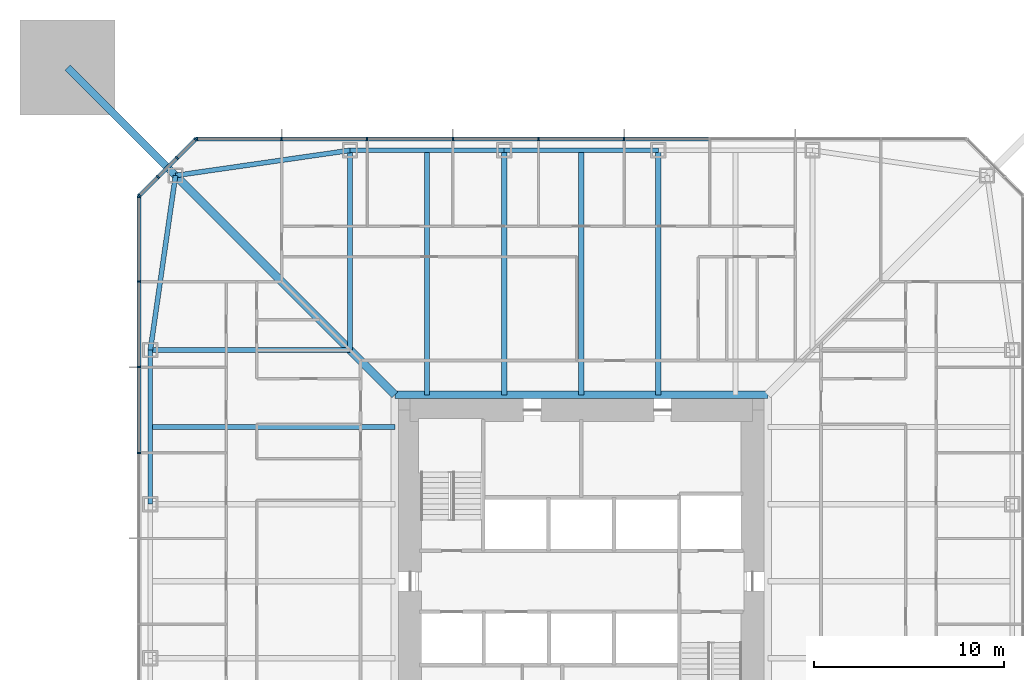
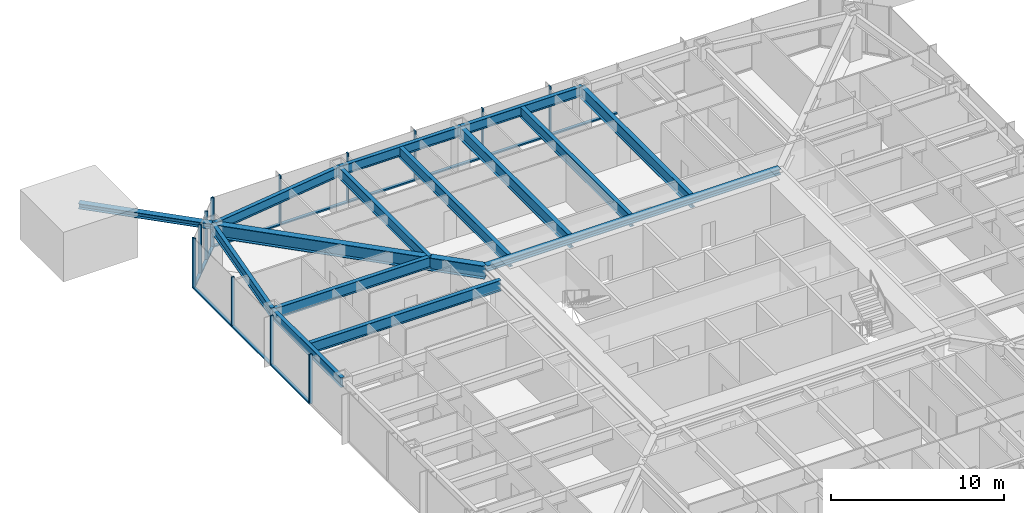
# One storey, part 6 of 26: 27 members, 14 beams, 3 elements without a shape of their own.
"""IFC4 building model written with IfcOpenShell, lengths in metres."""

from ifc_helpers import new_model, si_unit, direction, frame, origin, origin_2d, place, context, subcontext, project, spatial, rectangle, i_section, extrude, material, material_profile, profile_set, type_object, element, aggregate, save


model = new_model("IFC4")

# Units and contexts
model_context = context("Model", 3, precision=1e-05, world=origin(), true_north=direction((0.0, 1.0)))
body_context = subcontext(model_context, "Body", "Model", "MODEL_VIEW")
ifc_project = project(units=[si_unit("LENGTHUNIT", "METRE"), si_unit("AREAUNIT", "SQUARE_METRE"), si_unit("VOLUMEUNIT", "CUBIC_METRE"), si_unit("PLANEANGLEUNIT", "RADIAN"), si_unit("MASSUNIT", "GRAM", prefix="KILO")], contexts=[model_context])

# Site, building, storey
site_placement = place(None, origin())
site = spatial("IfcSite", under=ifc_project, at=site_placement, CompositionType="ELEMENT")
building_placement = place(site_placement, origin())
building = spatial("IfcBuilding", under=site, at=building_placement, Name="Iwan Alto Co-Living Towers", CompositionType="ELEMENT")
storey_placement = place(building_placement, frame((0.0, 0.0, 29.0)))
storey = spatial("IfcBuildingStorey", under=building, at=storey_placement, Name="L07", CompositionType="ELEMENT", Elevation=29.0)

# Curtain wall, members
ifc_material_1 = material(Name="Bronze aluminium unitised frame", Category="aluminium")
curtain_wall_type_1 = type_object("IfcCurtainWallType", Name="CURTAIN WALL CW-A", PredefinedType="NOTDEFINED", material=ifc_material_1)
curtain_wall_1_placement = place(storey_placement, origin())
curtain_wall_1 = element("IfcCurtainWall", 1, at=curtain_wall_1_placement, inside=storey, type_object=curtain_wall_type_1, Name="T1 curtain wall N L07", PredefinedType="NOTDEFINED")
ifc_material_2 = material(Name="Aluminium 6063-T6 bronze anodised", Category="aluminium")
ifc_material_profile_1 = material_profile(ifc_material_2, rectangle(XDim=0.199951171875, YDim=0.080078125, at=origin_2d()), Name="AL 80X200")
ifc_profile_set_1 = profile_set([ifc_material_profile_1], Name="Aluminium 6063-T6 bronze anodised")
member_type_1 = type_object("IfcMemberType", Name="CW-A MULLION 80X200", PredefinedType="MULLION", material=ifc_profile_set_1)
member_1_placement = place(storey_placement, frame((2.25, 23.25, 0.0), z_axis=(0.0, 0.0, 1.0), x_axis=(0.0, -1.0, 0.0)))
member_1 = element("IfcMember", 2, at=member_1_placement, type_object=member_type_1, Name="CW-A mullion 5", PredefinedType="MULLION", context=body_context, shape_type="SweptSolid", body=[
    extrude(rectangle(XDim=0.199951171875, YDim=0.080078125, at=origin_2d()), origin(), (0.0, 0.0, 1.0), 3.5),
])
member_2_placement = place(storey_placement, frame((-2.25, 23.25, 0.0), z_axis=(0.0, 0.0, 1.0), x_axis=(0.0, -1.0, 0.0)))
member_2 = element("IfcMember", 3, at=member_2_placement, type_object=member_type_1, Name="CW-A mullion 6", PredefinedType="MULLION", context=body_context, shape_type="SweptSolid", body=[
    extrude(rectangle(XDim=0.199951171875, YDim=0.080078125, at=origin_2d()), origin(), (0.0, 0.0, 1.0), 3.5),
])
member_3_placement = place(storey_placement, frame((-6.75, 23.25, 0.0), z_axis=(0.0, 0.0, 1.0), x_axis=(0.0, -1.0, 0.0)))
member_3 = element("IfcMember", 4, at=member_3_placement, type_object=member_type_1, Name="CW-A mullion 7", PredefinedType="MULLION", context=body_context, shape_type="SweptSolid", body=[
    extrude(rectangle(XDim=0.199951171875, YDim=0.080078125, at=origin_2d()), origin(), (0.0, 0.0, 1.0), 3.5),
])
member_4_placement = place(storey_placement, frame((-11.25, 23.25, 0.0), z_axis=(0.0, 0.0, 1.0), x_axis=(0.0, -1.0, 0.0)))
member_4 = element("IfcMember", 5, at=member_4_placement, type_object=member_type_1, Name="CW-A mullion 8", PredefinedType="MULLION", context=body_context, shape_type="SweptSolid", body=[
    extrude(rectangle(XDim=0.199951171875, YDim=0.080078125, at=origin_2d()), origin(), (0.0, 0.0, 1.0), 3.5),
])
member_5_placement = place(storey_placement, frame((-15.75, 23.25, 0.0), z_axis=(0.0, 0.0, 1.0), x_axis=(0.0, -1.0, 0.0)))
member_5 = element("IfcMember", 6, at=member_5_placement, type_object=member_type_1, Name="CW-A mullion 9", PredefinedType="MULLION", context=body_context, shape_type="SweptSolid", body=[
    extrude(rectangle(XDim=0.199951171875, YDim=0.080078125, at=origin_2d()), origin(), (0.0, 0.0, 1.0), 3.5),
])
member_6_placement = place(storey_placement, frame((-20.2099609375, 23.25, 0.0), z_axis=(0.0, 0.0, 1.0), x_axis=(0.0, -1.0, 0.0)))
member_6 = element("IfcMember", 7, at=member_6_placement, type_object=member_type_1, Name="CW-A mullion 10", PredefinedType="MULLION", context=body_context, shape_type="SweptSolid", body=[
    extrude(rectangle(XDim=0.199951171875, YDim=0.080078125, at=origin_2d()), origin(), (0.0, 0.0, 1.0), 3.5),
])

curtain_wall_2_placement = place(storey_placement, origin())
curtain_wall_2 = element("IfcCurtainWall", 8, at=curtain_wall_2_placement, inside=storey, type_object=curtain_wall_type_1, Name="T1 curtain wall W L07", PredefinedType="NOTDEFINED")
member_7_placement = place(storey_placement, frame((-23.25, 20.2099609375, 0.0), z_axis=(0.0, 0.0, 1.0), x_axis=(1.0, 0.0, 0.0)))
member_7 = element("IfcMember", 9, at=member_7_placement, type_object=member_type_1, Name="CW-A mullion 1", PredefinedType="MULLION", context=body_context, shape_type="SweptSolid", body=[
    extrude(rectangle(XDim=0.199951171875, YDim=0.080078125, at=origin_2d()), origin(), (0.0, 0.0, 1.0), 3.5),
])
member_8_placement = place(storey_placement, frame((-23.25, 15.75, 0.0), z_axis=(0.0, 0.0, 1.0), x_axis=(1.0, 0.0, 0.0)))
member_8 = element("IfcMember", 10, at=member_8_placement, type_object=member_type_1, Name="CW-A mullion 2", PredefinedType="MULLION", context=body_context, shape_type="SweptSolid", body=[
    extrude(rectangle(XDim=0.199951171875, YDim=0.080078125, at=origin_2d()), origin(), (0.0, 0.0, 1.0), 3.5),
])
member_9_placement = place(storey_placement, frame((-23.25, 11.25, 0.0), z_axis=(0.0, 0.0, 1.0), x_axis=(1.0, 0.0, 0.0)))
member_9 = element("IfcMember", 11, at=member_9_placement, type_object=member_type_1, Name="CW-A mullion 3", PredefinedType="MULLION", context=body_context, shape_type="SweptSolid", body=[
    extrude(rectangle(XDim=0.199951171875, YDim=0.080078125, at=origin_2d()), origin(), (0.0, 0.0, 1.0), 3.5),
])
member_10_placement = place(storey_placement, frame((-23.25, 6.75, 0.0), z_axis=(0.0, 0.0, 1.0), x_axis=(1.0, 0.0, 0.0)))
member_10 = element("IfcMember", 12, at=member_10_placement, type_object=member_type_1, Name="CW-A mullion 4", PredefinedType="MULLION", context=body_context, shape_type="SweptSolid", body=[
    extrude(rectangle(XDim=0.199951171875, YDim=0.080078125, at=origin_2d()), origin(), (0.0, 0.0, 1.0), 3.5),
])

# Member
ifc_material_3 = material(Name="Aluminium 6063-T6 bronze anodised", Category="aluminium")
ifc_material_profile_2 = material_profile(ifc_material_3, rectangle(XDim=0.199951171875, YDim=0.10009765625, at=origin_2d()), Name="AL 200X100")
ifc_profile_set_2 = profile_set([ifc_material_profile_2], Name="Aluminium 6063-T6 bronze anodised")
member_type_2 = type_object("IfcMemberType", Name="CW-A TRANSOM 200X100", PredefinedType="USERDEFINED", material=ifc_profile_set_2)
member_11_placement = place(storey_placement, frame((6.7099609375, 23.25, 0.050048828125), z_axis=(-1.0, 0.0, 0.0), x_axis=(0.0, -1.0, 0.0)))
member_11 = element("IfcMember", 13, at=member_11_placement, type_object=member_type_2, Name="CW-A transom 4.1", ObjectType="TRANSOM", PredefinedType="USERDEFINED", context=body_context, shape_type="SweptSolid", body=[
    extrude(rectangle(XDim=0.199951171875, YDim=0.10009765625, at=origin_2d()), origin(), (0.0, 0.0, 1.0), 4.419921875),
])

member_12_placement = place(storey_placement, frame((2.2099609375, 23.25, 0.050048828125), z_axis=(-1.0, 0.0, 0.0), x_axis=(0.0, -1.0, 0.0)))
member_12 = element("IfcMember", 14, at=member_12_placement, type_object=member_type_2, Name="CW-A transom 5.1", ObjectType="TRANSOM", PredefinedType="USERDEFINED", context=body_context, shape_type="SweptSolid", body=[
    extrude(rectangle(XDim=0.199951171875, YDim=0.10009765625, at=origin_2d()), origin(), (0.0, 0.0, 1.0), 4.419921875),
])

member_13_placement = place(storey_placement, frame((-2.2900390625, 23.25, 0.050048828125), z_axis=(-1.0, 0.0, 0.0), x_axis=(0.0, -1.0, 0.0)))
member_13 = element("IfcMember", 15, at=member_13_placement, type_object=member_type_2, Name="CW-A transom 6.1", ObjectType="TRANSOM", PredefinedType="USERDEFINED", context=body_context, shape_type="SweptSolid", body=[
    extrude(rectangle(XDim=0.199951171875, YDim=0.10009765625, at=origin_2d()), origin(), (0.0, 0.0, 1.0), 4.419921875),
])

member_14_placement = place(storey_placement, frame((-6.7900390625, 23.25, 0.050048828125), z_axis=(-1.0, 0.0, 0.0), x_axis=(0.0, -1.0, 0.0)))
member_14 = element("IfcMember", 16, at=member_14_placement, type_object=member_type_2, Name="CW-A transom 7.1", ObjectType="TRANSOM", PredefinedType="USERDEFINED", context=body_context, shape_type="SweptSolid", body=[
    extrude(rectangle(XDim=0.199951171875, YDim=0.10009765625, at=origin_2d()), origin(), (0.0, 0.0, 1.0), 4.419921875),
])

member_15_placement = place(storey_placement, frame((-11.2900390625, 23.25, 0.050048828125), z_axis=(-1.0, 0.0, 0.0), x_axis=(0.0, -1.0, 0.0)))
member_15 = element("IfcMember", 17, at=member_15_placement, type_object=member_type_2, Name="CW-A transom 8.1", ObjectType="TRANSOM", PredefinedType="USERDEFINED", context=body_context, shape_type="SweptSolid", body=[
    extrude(rectangle(XDim=0.199951171875, YDim=0.10009765625, at=origin_2d()), origin(), (0.0, 0.0, 1.0), 4.419921875),
])

member_16_placement = place(storey_placement, frame((-15.7900390625, 23.25, 0.050048828125), z_axis=(-1.0, 0.0, 0.0), x_axis=(0.0, -1.0, 0.0)))
member_16 = element("IfcMember", 18, at=member_16_placement, type_object=member_type_2, Name="CW-A transom 9.1", ObjectType="TRANSOM", PredefinedType="USERDEFINED", context=body_context, shape_type="SweptSolid", body=[
    extrude(rectangle(XDim=0.199951171875, YDim=0.10009765625, at=origin_2d()), origin(), (0.0, 0.0, 1.0), 4.3798828125),
])

aggregate(curtain_wall_1, [member_1, member_2, member_3, member_4, member_5, member_6, member_11, member_12, member_13, member_14, member_15, member_16])

member_17_placement = place(storey_placement, frame((-23.25, 20.169921875, 0.050048828125), z_axis=(0.0, -1.0, 0.0), x_axis=(1.0, 0.0, 0.0)))
member_17 = element("IfcMember", 19, at=member_17_placement, type_object=member_type_2, Name="CW-A transom 1.1", ObjectType="TRANSOM", PredefinedType="USERDEFINED", context=body_context, shape_type="SweptSolid", body=[
    extrude(rectangle(XDim=0.199951171875, YDim=0.10009765625, at=origin_2d()), origin(), (0.0, 0.0, 1.0), 4.3798828125),
])

member_18_placement = place(storey_placement, frame((-23.25, 15.7099609375, 0.050048828125), z_axis=(0.0, -1.0, 0.0), x_axis=(1.0, 0.0, 0.0)))
member_18 = element("IfcMember", 20, at=member_18_placement, type_object=member_type_2, Name="CW-A transom 2.1", ObjectType="TRANSOM", PredefinedType="USERDEFINED", context=body_context, shape_type="SweptSolid", body=[
    extrude(rectangle(XDim=0.199951171875, YDim=0.10009765625, at=origin_2d()), origin(), (0.0, 0.0, 1.0), 4.419921875),
])

member_19_placement = place(storey_placement, frame((-23.25, 11.2099609375, 0.050048828125), z_axis=(0.0, -1.0, 0.0), x_axis=(1.0, 0.0, 0.0)))
member_19 = element("IfcMember", 21, at=member_19_placement, type_object=member_type_2, Name="CW-A transom 3.1", ObjectType="TRANSOM", PredefinedType="USERDEFINED", context=body_context, shape_type="SweptSolid", body=[
    extrude(rectangle(XDim=0.199951171875, YDim=0.10009765625, at=origin_2d()), origin(), (0.0, 0.0, 1.0), 4.419921875),
])

aggregate(curtain_wall_2, [member_7, member_8, member_9, member_10, member_17, member_18, member_19])

# Curtain wall, members
ifc_material_4 = material(Name="Bronze aluminium unitised frame", Category="aluminium")
curtain_wall_type_2 = type_object("IfcCurtainWallType", Name="CURTAIN WALL CW-B", PredefinedType="NOTDEFINED", material=ifc_material_4)
curtain_wall_3_placement = place(storey_placement, origin())
curtain_wall_3 = element("IfcCurtainWall", 22, at=curtain_wall_3_placement, inside=storey, type_object=curtain_wall_type_2, Name="T1 chamfer curtain wall NW L07", PredefinedType="NOTDEFINED")
ifc_material_5 = material(Name="Aluminium 6063-T6 bronze anodised", Category="aluminium")
ifc_material_profile_3 = material_profile(ifc_material_5, rectangle(XDim=0.199951171875, YDim=0.080078125, at=origin_2d()), Name="AL 80X200")
ifc_profile_set_3 = profile_set([ifc_material_profile_3], Name="Aluminium 6063-T6 bronze anodised")
member_type_3 = type_object("IfcMemberType", Name="CW-B MULLION 80X200", PredefinedType="MULLION", material=ifc_profile_set_3)
member_20_placement = place(storey_placement, frame((-20.2783203125, 23.2216796875, 0.0), z_axis=(0.0, 0.0, 1.0), x_axis=(0.707106781187, -0.707106781187, 0.0)))
member_20 = element("IfcMember", 23, at=member_20_placement, type_object=member_type_3, Name="CW-B mullion 1", PredefinedType="MULLION", context=body_context, shape_type="SweptSolid", body=[
    extrude(rectangle(XDim=0.199951171875, YDim=0.080078125, at=origin_2d()), origin(), (0.0, 0.0, 1.0), 3.5),
])
member_21_placement = place(storey_placement, frame((-21.25, 22.25, 0.0), z_axis=(0.0, 0.0, 1.0), x_axis=(0.707106781187, -0.707106781187, 0.0)))
member_21 = element("IfcMember", 24, at=member_21_placement, type_object=member_type_3, Name="CW-B mullion 2", PredefinedType="MULLION", context=body_context, shape_type="SweptSolid", body=[
    extrude(rectangle(XDim=0.199951171875, YDim=0.080078125, at=origin_2d()), origin(), (0.0, 0.0, 1.0), 3.5),
])
member_22_placement = place(storey_placement, frame((-22.25, 21.25, 0.0), z_axis=(0.0, 0.0, 1.0), x_axis=(0.707106781187, -0.707106781187, 0.0)))
member_22 = element("IfcMember", 25, at=member_22_placement, type_object=member_type_3, Name="CW-B mullion 3", PredefinedType="MULLION", context=body_context, shape_type="SweptSolid", body=[
    extrude(rectangle(XDim=0.199951171875, YDim=0.080078125, at=origin_2d()), origin(), (0.0, 0.0, 1.0), 3.5),
])
member_23_placement = place(storey_placement, frame((-23.2216796875, 20.2783203125, 0.0), z_axis=(0.0, 0.0, 1.0), x_axis=(0.707106781187, -0.707106781187, 0.0)))
member_23 = element("IfcMember", 26, at=member_23_placement, type_object=member_type_3, Name="CW-B mullion 4", PredefinedType="MULLION", context=body_context, shape_type="SweptSolid", body=[
    extrude(rectangle(XDim=0.199951171875, YDim=0.080078125, at=origin_2d()), origin(), (0.0, 0.0, 1.0), 3.5),
])
ifc_material_6 = material(Name="Aluminium 6063-T6 bronze anodised", Category="aluminium")
ifc_material_profile_4 = material_profile(ifc_material_6, rectangle(XDim=0.199951171875, YDim=0.10009765625, at=origin_2d()), Name="AL 200X100")
ifc_profile_set_4 = profile_set([ifc_material_profile_4], Name="Aluminium 6063-T6 bronze anodised")
member_type_4 = type_object("IfcMemberType", Name="CW-B TRANSOM 200X100", PredefinedType="USERDEFINED", material=ifc_profile_set_4)
member_24_placement = place(storey_placement, frame((-20.306640625, 23.193359375, 0.050048828125), z_axis=(-0.707106781187, -0.707106781187, 0.0), x_axis=(0.707106781187, -0.707106781187, 0.0)))
member_24 = element("IfcMember", 27, at=member_24_placement, type_object=member_type_4, Name="CW-B transom 1.1", ObjectType="TRANSOM", PredefinedType="USERDEFINED", context=body_context, shape_type="SweptSolid", body=[
    extrude(rectangle(XDim=0.199951171875, YDim=0.10009765625, at=origin_2d()), origin(), (0.0, 0.0, 1.0), 1.2939453125),
])
member_25_placement = place(storey_placement, frame((-21.2783203125, 22.2216796875, 0.050048828125), z_axis=(-0.707106781187, -0.707106781187, 0.0), x_axis=(0.707106781187, -0.707106781187, 0.0)))
member_25 = element("IfcMember", 28, at=member_25_placement, type_object=member_type_4, Name="CW-B transom 2.1", ObjectType="TRANSOM", PredefinedType="USERDEFINED", context=body_context, shape_type="SweptSolid", body=[
    extrude(rectangle(XDim=0.199951171875, YDim=0.10009765625, at=origin_2d()), origin(), (0.0, 0.0, 1.0), 1.334228515625),
])
member_26_placement = place(storey_placement, frame((-22.2783203125, 21.2216796875, 0.050048828125), z_axis=(-0.707106781187, -0.707106781187, 0.0), x_axis=(0.707106781187, -0.707106781187, 0.0)))
member_26 = element("IfcMember", 29, at=member_26_placement, type_object=member_type_4, Name="CW-B transom 3.1", ObjectType="TRANSOM", PredefinedType="USERDEFINED", context=body_context, shape_type="SweptSolid", body=[
    extrude(rectangle(XDim=0.199951171875, YDim=0.10009765625, at=origin_2d()), origin(), (0.0, 0.0, 1.0), 1.2939453125),
])
aggregate(curtain_wall_3, [member_20, member_21, member_22, member_23, member_24, member_25, member_26])

# Beams
ifc_material_7 = material(Name="Steel ASTM A992 Gr 50", Category="steel")
ifc_material_profile_5 = material_profile(ifc_material_7, i_section(OverallWidth=0.40380859375, OverallDepth=0.406494140625, WebThickness=0.027099609375, FlangeThickness=0.043701171875, at=origin_2d()), Name="W14X233")
ifc_profile_set_5 = profile_set([ifc_material_profile_5], Name="Steel ASTM A992 Gr 50")
beam_type_1 = type_object("IfcBeamType", Name="T1 CORE LEDGER BEAM W14X233", PredefinedType="BEAM", material=ifc_profile_set_5)
beam_1_placement = place(storey_placement, frame((9.802001953125, 9.802001953125, 3.06689453125), z_axis=(-1.0, 0.0, 0.0), x_axis=(0.0, -1.0, 0.0)))
element("IfcBeam", 30, at=beam_1_placement, inside=storey, type_object=beam_type_1, Name="T1 core ledger beam N L08", PredefinedType="BEAM", context=body_context, shape_type="SweptSolid", body=[
    extrude(i_section(OverallWidth=0.40380859375, OverallDepth=0.406494140625, WebThickness=0.027099609375, FlangeThickness=0.043701171875, at=origin_2d()), origin(), (0.0, 0.0, 1.0), 19.60400390625),
])
ifc_material_8 = material(Name="Steel ASTM A992 Gr 50", Category="steel")
ifc_material_profile_6 = material_profile(ifc_material_8, i_section(OverallWidth=0.419189453125, OverallDepth=0.927001953125, WebThickness=0.019287109375, FlangeThickness=0.031982421875, at=origin_2d()), Name="W36X231")
ifc_profile_set_6 = profile_set([ifc_material_profile_6], Name="Steel ASTM A992 Gr 50")
beam_type_2 = type_object("IfcBeamType", Name="T1 CORNER GIRDER W36X231", PredefinedType="BEAM", material=ifc_profile_set_6)
beam_2_placement = place(storey_placement, frame((-21.32568359375, 21.32568359375, 2.806396484375), z_axis=(0.707106781187, -0.707106781187, 0.0), x_axis=(0.707106781187, 0.707106781187, 0.0)))
element("IfcBeam", 31, at=beam_2_placement, inside=storey, type_object=beam_type_2, Name="T1 corner girder CNW L08", PredefinedType="BEAM", context=body_context, shape_type="SweptSolid", body=[
    extrude(i_section(OverallWidth=0.419189453125, OverallDepth=0.927001953125, WebThickness=0.019287109375, FlangeThickness=0.031982421875, at=origin_2d()), origin(), (0.0, 0.0, 1.0), 16.296875),
])
ifc_material_9 = material(Name="Steel ASTM A992 Gr 50", Category="steel")
ifc_material_profile_7 = material_profile(ifc_material_9, i_section(OverallWidth=0.25390625, OverallDepth=0.683349609375, WebThickness=0.012451171875, FlangeThickness=0.018798828125, at=origin_2d()), Name="W27X94")
ifc_profile_set_7 = profile_set([ifc_material_profile_7], Name="Steel ASTM A992 Gr 50")
beam_type_3 = type_object("IfcBeamType", Name="T1 EDGE BEAM W27X94", PredefinedType="BEAM", material=ifc_profile_set_7)
beam_3_placement = place(storey_placement, frame((4.050048828125, 22.64990234375, 2.928466796875), z_axis=(-1.0, 0.0, 0.0), x_axis=(0.0, -1.0, 0.0)))
element("IfcBeam", 32, at=beam_3_placement, inside=storey, type_object=beam_type_3, Name="T1 edge beam N2 L08", PredefinedType="BEAM", context=body_context, shape_type="SweptSolid", body=[
    extrude(i_section(OverallWidth=0.25390625, OverallDepth=0.683349609375, WebThickness=0.012451171875, FlangeThickness=0.018798828125, at=origin_2d()), origin(), (0.0, 0.0, 1.0), 8.10009765625),
])
beam_4_placement = place(storey_placement, frame((-4.050048828125, 22.64990234375, 2.928466796875), z_axis=(-1.0, 0.0, 0.0), x_axis=(0.0, -1.0, 0.0)))
element("IfcBeam", 33, at=beam_4_placement, inside=storey, type_object=beam_type_3, Name="T1 edge beam N3 L08", PredefinedType="BEAM", context=body_context, shape_type="SweptSolid", body=[
    extrude(i_section(OverallWidth=0.25390625, OverallDepth=0.683349609375, WebThickness=0.012451171875, FlangeThickness=0.018798828125, at=origin_2d()), origin(), (0.0, 0.0, 1.0), 8.099853515625),
])
for number, where, z_axis, x_axis, name in (
    (34, (-12.14990234375, 22.64990234375, 2.928466796875), (-0.989746234347, -0.142836940589, 0.0), (0.142836940589, -0.989746234347, 0.0), "T1 edge beam N4 L08"),
    (35, (-21.32568359375, 21.32568359375, 2.928466796875), (-0.142836940589, -0.989746234347, 0.0), (0.989746234347, -0.142836940589, 0.0), "T1 edge beam CNW L08"),
):
    element("IfcBeam", number, at=place(storey_placement, frame(where, z_axis=z_axis, x_axis=x_axis)), inside=storey, type_object=beam_type_3, Name=name, PredefinedType="BEAM", context=body_context, shape_type="SweptSolid", body=[
        extrude(i_section(OverallWidth=0.25390625, OverallDepth=0.683349609375, WebThickness=0.012451171875, FlangeThickness=0.018798828125, at=origin_2d()), origin(), (0.0, 0.0, 1.0), 9.270751953125),
    ])
beam_5_placement = place(storey_placement, frame((-22.64990234375, 12.14990234375, 2.928466796875), z_axis=(0.0, -1.0, 0.0), x_axis=(1.0, 0.0, 0.0)))
element("IfcBeam", 36, at=beam_5_placement, inside=storey, type_object=beam_type_3, Name="T1 edge beam W1 L08", PredefinedType="BEAM", context=body_context, shape_type="SweptSolid", body=[
    extrude(i_section(OverallWidth=0.25390625, OverallDepth=0.683349609375, WebThickness=0.012451171875, FlangeThickness=0.018798828125, at=origin_2d()), origin(), (0.0, 0.0, 1.0), 8.099853515625),
])

# Member
ifc_material_10 = material(Name="Steel ASTM A992 Gr 50", Category="steel")
ifc_material_profile_8 = material_profile(ifc_material_10, i_section(OverallWidth=0.393798828125, OverallDepth=0.3759765625, WebThickness=0.017333984375, FlangeThickness=0.027587890625, at=origin_2d()), Name="W14X145")
ifc_profile_set_8 = profile_set([ifc_material_profile_8], Name="Steel ASTM A992 Gr 50")
member_type_5 = type_object("IfcMemberType", Name="T1 MEGA COLUMN FLOOR TIE W14X145", PredefinedType="STRUT", material=ifc_profile_set_8)
member_27_placement = place(storey_placement, frame((-27.0, 27.0, 3.08203125), z_axis=(0.707106781187, -0.707106781187, 0.0), x_axis=(0.707106781187, 0.707106781187, 0.0)))
element("IfcMember", 37, at=member_27_placement, inside=storey, type_object=member_type_5, Name="T1 mega column floor tie NW L08", PredefinedType="STRUT", context=body_context, shape_type="SweptSolid", body=[
    extrude(i_section(OverallWidth=0.393798828125, OverallDepth=0.3759765625, WebThickness=0.017333984375, FlangeThickness=0.027587890625, at=origin_2d()), origin(), (0.0, 0.0, 1.0), 8.024658203125),
])

# Beams
ifc_material_11 = material(Name="Steel ASTM A992 Gr 50", Category="steel")
ifc_material_profile_9 = material_profile(ifc_material_11, i_section(OverallWidth=0.2666015625, OverallDepth=0.761962890625, WebThickness=0.014404296875, FlangeThickness=0.021484375, at=origin_2d()), Name="W30X116")
ifc_profile_set_9 = profile_set([ifc_material_profile_9], Name="Steel ASTM A992 Gr 50")
beam_type_4 = type_object("IfcBeamType", Name="T1 RADIAL BEAM W30X116", PredefinedType="BEAM", material=ifc_profile_set_9)
for number, where, z_axis, x_axis, name in (
    (38, (-12.14990234375, 22.64990234375, 2.888916015625), (0.0, -1.0, 0.0), (1.0, 0.0, 0.0), "T1 radial beam N4 L08"),
    (39, (-22.64990234375, 12.14990234375, 2.888916015625), (1.0, 0.0, 0.0), (0.0, 1.0, 0.0), "T1 radial beam W1 L08"),
):
    element("IfcBeam", number, at=place(storey_placement, frame(where, z_axis=z_axis, x_axis=x_axis)), inside=storey, type_object=beam_type_4, Name=name, PredefinedType="BEAM", context=body_context, shape_type="SweptSolid", body=[
        extrude(i_section(OverallWidth=0.2666015625, OverallDepth=0.761962890625, WebThickness=0.014404296875, FlangeThickness=0.021484375, at=origin_2d()), origin(), (0.0, 0.0, 1.0), 10.5),
    ])
ifc_material_12 = material(Name="Steel ASTM A992 Gr 50", Category="steel")
ifc_material_profile_10 = material_profile(ifc_material_12, i_section(OverallWidth=0.2919921875, OverallDepth=0.8408203125, WebThickness=0.0146484375, FlangeThickness=0.021728515625, at=origin_2d()), Name="W33X130")
ifc_profile_set_10 = profile_set([ifc_material_profile_10], Name="Steel ASTM A992 Gr 50")
beam_type_5 = type_object("IfcBeamType", Name="T1 RADIAL BEAM W33X130", PredefinedType="BEAM", material=ifc_profile_set_10)
for number, where, z_axis, x_axis, name in (
    (40, (4.050048828125, 22.64990234375, 2.849609375), (0.0, -1.0, 0.0), (1.0, 0.0, 0.0), "T1 radial beam N2 L08"),
    (41, (-4.050048828125, 22.64990234375, 2.849609375), (0.0, -1.0, 0.0), (1.0, 0.0, 0.0), "T1 radial beam N3 L08"),
):
    element("IfcBeam", number, at=place(storey_placement, frame(where, z_axis=z_axis, x_axis=x_axis)), inside=storey, type_object=beam_type_5, Name=name, PredefinedType="BEAM", context=body_context, shape_type="SweptSolid", body=[
        extrude(i_section(OverallWidth=0.2919921875, OverallDepth=0.8408203125, WebThickness=0.0146484375, FlangeThickness=0.021728515625, at=origin_2d()), origin(), (0.0, 0.0, 1.0), 12.847900390625),
    ])
ifc_material_13 = material(Name="Steel ASTM A992 Gr 50", Category="steel")
ifc_material_profile_11 = material_profile(ifc_material_13, i_section(OverallWidth=0.2666015625, OverallDepth=0.761962890625, WebThickness=0.014404296875, FlangeThickness=0.021484375, at=origin_2d()), Name="W30X116")
ifc_profile_set_11 = profile_set([ifc_material_profile_11], Name="Steel ASTM A992 Gr 50")
beam_type_6 = type_object("IfcBeamType", Name="T1 SECONDARY BEAM W30X116", PredefinedType="JOIST", material=ifc_profile_set_11)
for number, where, z_axis, x_axis, name in (
    (42, (0.0, 22.64990234375, 2.888916015625), (0.0, -1.0, 0.0), (1.0, 0.0, 0.0), "T1 secondary beam N2 L08"),
    (43, (-8.10009765625, 22.64990234375, 2.888916015625), (0.0, -1.0, 0.0), (1.0, 0.0, 0.0), "T1 secondary beam N3 L08"),
    (44, (-22.64990234375, 8.10009765625, 2.888916015625), (1.0, 0.0, 0.0), (0.0, 1.0, 0.0), "T1 secondary beam W1 L08"),
):
    element("IfcBeam", number, at=place(storey_placement, frame(where, z_axis=z_axis, x_axis=x_axis)), inside=storey, type_object=beam_type_6, Name=name, PredefinedType="JOIST", context=body_context, shape_type="SweptSolid", body=[
        extrude(i_section(OverallWidth=0.2666015625, OverallDepth=0.761962890625, WebThickness=0.014404296875, FlangeThickness=0.021484375, at=origin_2d()), origin(), (0.0, 0.0, 1.0), 12.847900390625),
    ])

save(model, "model.ifc")
